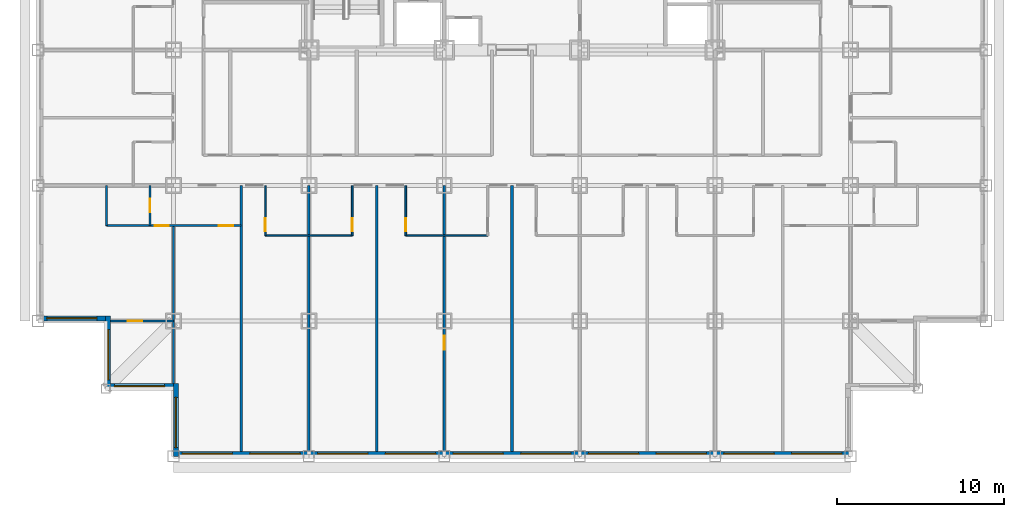
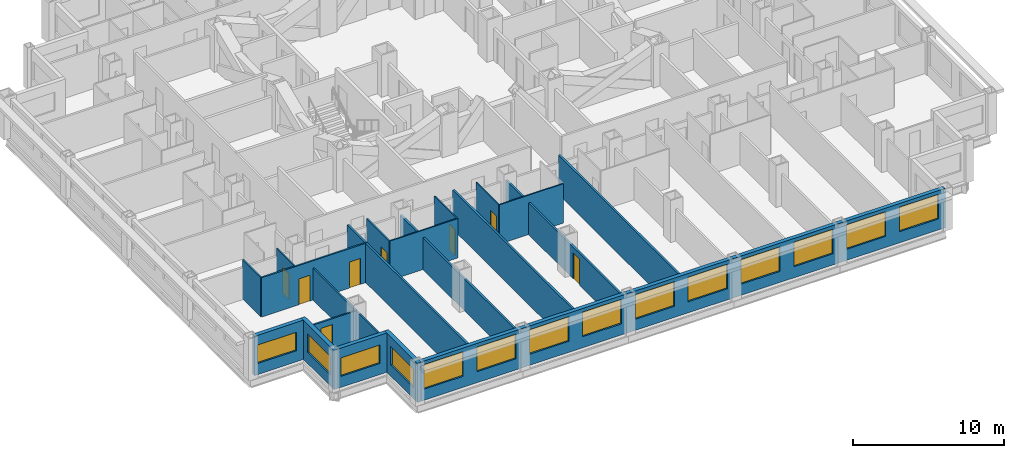
# One storey, part 3 of 13: 20 walls, 14 windows, 8 doors, 22 openings.
"""IFC4 building model written with IfcOpenShell, lengths in metres."""

from ifc_helpers import new_model, si_unit, direction, frame, frame_2d, origin, place, context, subcontext, project, spatial, rectangle, extrude, material, layer, layer_set, type_object, element, fill, save


model = new_model("IFC4")

# Units and contexts
model_context = context("Model", 3, precision=1e-05, world=origin(), true_north=direction((0.0, 1.0)))
body_context = subcontext(model_context, "Body", "Model", "MODEL_VIEW")
ifc_project = project(units=[si_unit("LENGTHUNIT", "METRE"), si_unit("AREAUNIT", "SQUARE_METRE"), si_unit("VOLUMEUNIT", "CUBIC_METRE"), si_unit("PLANEANGLEUNIT", "RADIAN"), si_unit("MASSUNIT", "GRAM", prefix="KILO")], contexts=[model_context])

# Site, building, storey
site_placement = place(None, origin())
site = spatial("IfcSite", under=ifc_project, at=site_placement, CompositionType="ELEMENT")
building_placement = place(site_placement, origin())
building = spatial("IfcBuilding", under=site, at=building_placement, Name="Kopane Lantern Tower", CompositionType="ELEMENT")
storey_placement = place(building_placement, frame((0.0, 0.0, 50.0)))
storey = spatial("IfcBuildingStorey", under=building, at=storey_placement, Name="L11", CompositionType="ELEMENT", Elevation=50.0)

# Wall, openings, doors
ifc_material_1 = material(Name="Gypsum board on steel studs", Category="steel")
ifc_layer_1 = layer(ifc_material_1, 0.1201171875)
ifc_layer_set_1 = layer_set([ifc_layer_1], Name="APARTMENT INTERNAL WALL 120")
wall_type_1 = type_object("IfcWallType", Name="APARTMENT INTERNAL WALL 120", PredefinedType="PARTITIONING", material=ifc_layer_set_1)
wall_1_placement = place(storey_placement, frame((4.10009765625, 13.800048828125, 0.0), z_axis=(0.0, 0.0, 1.0), x_axis=(1.0, 0.0, 0.0)))
wall_1 = element("IfcWall", 1, at=wall_1_placement, inside=storey, type_object=wall_type_1, Name="Apartment Internal Wall 120 L11", PredefinedType="PARTITIONING", context=body_context, shape_type="SweptSolid", body=[
    extrude(rectangle(XDim=8.0498046875, YDim=0.1201171875, at=frame_2d((4.02490234375, 0.0))), origin(), (0.0, 0.0, 1.0), 3.18994140625),
])
opening_1_placement = place(wall_1_placement, frame((6.72509765625, 0.0, 0.0)))
opening_1 = element("IfcOpeningElement", 2, at=opening_1_placement, cuts=wall_1, Name="Opening L11-074", PredefinedType="OPENING", context=body_context, shape_type="SweptSolid", body=[
    extrude(rectangle(XDim=0.85009765625, YDim=2.10009765625, at=frame_2d((0.425048828125, 1.050048828125))), frame((0.0, 0.070068359375, 0.0), z_axis=(0.0, -1.0, 0.0), x_axis=(1.0, 0.0, 0.0)), (0.0, 0.0, 1.0), 0.14013671875),
])
opening_2_placement = place(wall_1_placement, frame((2.875, 0.0, 0.0)))
opening_2 = element("IfcOpeningElement", 3, at=opening_2_placement, cuts=wall_1, Name="Opening L11-076", PredefinedType="OPENING", context=body_context, shape_type="SweptSolid", body=[
    extrude(rectangle(XDim=0.85009765625, YDim=2.10009765625, at=frame_2d((0.425048828125, 1.050048828125))), frame((0.0, 0.070068359375, 0.0), z_axis=(0.0, -1.0, 0.0), x_axis=(1.0, 0.0, 0.0)), (0.0, 0.0, 1.0), 0.14013671875),
])
ifc_material_2 = material(Name="Timber door set", Category="wood")
door_type_1 = type_object("IfcDoorType", Name="DOOR D4 850x2100", OperationType="SINGLE_SWING_LEFT", PredefinedType="DOOR", material=ifc_material_2)
door_1_placement = place(opening_1_placement, origin())
door_1 = element("IfcDoor", 4, at=door_1_placement, inside=storey, type_object=door_type_1, Name="Door L11-074", OperationType="SINGLE_SWING_RIGHT", OverallHeight=2.10009765625, OverallWidth=0.85009765625, PredefinedType="DOOR", context=body_context, shape_type="SweptSolid", body=[
    extrude(rectangle(XDim=0.85009765625, YDim=2.10009765625, at=frame_2d((0.425048828125, 1.050048828125))), frame((0.0, 0.02490234375, 0.0), z_axis=(0.0, -1.0, 0.0), x_axis=(1.0, 0.0, 0.0)), (0.0, 0.0, 1.0), 0.050048828125),
])
fill(opening_1, door_1)
door_2_placement = place(opening_2_placement, origin())
door_2 = element("IfcDoor", 5, at=door_2_placement, inside=storey, type_object=door_type_1, Name="Door L11-076", OperationType="SINGLE_SWING_LEFT", OverallHeight=2.10009765625, OverallWidth=0.85009765625, PredefinedType="DOOR", context=body_context, shape_type="SweptSolid", body=[
    extrude(rectangle(XDim=0.85009765625, YDim=2.10009765625, at=frame_2d((0.425048828125, 1.050048828125))), frame((0.0, 0.02490234375, 0.0), z_axis=(0.0, -1.0, 0.0), x_axis=(1.0, 0.0, 0.0)), (0.0, 0.0, 1.0), 0.050048828125),
])
fill(opening_2, door_2)

# Wall
wall_2_placement = place(storey_placement, frame((8.10009765625, 13.800048828125, 0.0), z_axis=(0.0, 0.0, 1.0), x_axis=(0.0, -1.0, 0.0)))
element("IfcWall", 6, at=wall_2_placement, inside=storey, type_object=wall_type_1, Name="Apartment Internal Wall 120 L11", PredefinedType="PARTITIONING", context=body_context, shape_type="SweptSolid", body=[
    extrude(rectangle(XDim=9.449951171875, YDim=0.1201171875, at=frame_2d((4.72509765625, 0.0))), origin(), (0.0, 0.0, 1.0), 2.577880859375),
])

# Wall, opening, door
wall_3_placement = place(storey_placement, frame((8.10009765625, 8.10009765625, 0.0), z_axis=(0.0, 0.0, 1.0), x_axis=(-1.0, 0.0, 0.0)))
wall_3 = element("IfcWall", 7, at=wall_3_placement, inside=storey, type_object=wall_type_1, Name="Apartment Internal Wall 120 L11", PredefinedType="PARTITIONING", context=body_context, shape_type="SweptSolid", body=[
    extrude(rectangle(XDim=3.75, YDim=0.1201171875, at=frame_2d((1.875, 0.0))), origin(), (0.0, 0.0, 1.0), 2.577880859375),
])
opening_3_placement = place(wall_3_placement, frame((1.875, 0.0, 0.0)))
opening_3 = element("IfcOpeningElement", 8, at=opening_3_placement, cuts=wall_3, Name="Opening L11-077", PredefinedType="OPENING", context=body_context, shape_type="SweptSolid", body=[
    extrude(rectangle(XDim=0.85009765625, YDim=2.10009765625, at=frame_2d((0.425048828125, 1.050048828125))), frame((0.0, 0.070068359375, 0.0), z_axis=(0.0, -1.0, 0.0), x_axis=(1.0, 0.0, 0.0)), (0.0, 0.0, 1.0), 0.14013671875),
])
door_3_placement = place(opening_3_placement, origin())
door_3 = element("IfcDoor", 9, at=door_3_placement, inside=storey, type_object=door_type_1, Name="Door L11-077", OperationType="SINGLE_SWING_LEFT", OverallHeight=2.10009765625, OverallWidth=0.85009765625, PredefinedType="DOOR", context=body_context, shape_type="SweptSolid", body=[
    extrude(rectangle(XDim=0.85009765625, YDim=2.10009765625, at=frame_2d((0.425048828125, 1.050048828125))), frame((0.0, 0.02490234375, 0.0), z_axis=(0.0, -1.0, 0.0), x_axis=(1.0, 0.0, 0.0)), (0.0, 0.0, 1.0), 0.050048828125),
])
fill(opening_3, door_3)

# Wall
ifc_material_3 = material(Name="Moisture-resistant board on steel studs", Category="steel")
ifc_layer_2 = layer(ifc_material_3, 0.10009765625)
ifc_layer_set_2 = layer_set([ifc_layer_2], Name="BATHROOM WALL 100")
wall_type_2 = type_object("IfcWallType", Name="BATHROOM WALL 100", PredefinedType="PARTITIONING", material=ifc_layer_set_2)
wall_4_placement = place(storey_placement, frame((13.60009765625, 13.199951171875, 0.0), z_axis=(0.0, 0.0, 1.0), x_axis=(1.0, 0.0, 0.0)))
element("IfcWall", 10, at=wall_4_placement, inside=storey, type_object=wall_type_2, Name="Bathroom Wall 100 L11", PredefinedType="PARTITIONING", context=body_context, shape_type="SweptSolid", body=[
    extrude(rectangle(XDim=5.199951171875, YDim=0.10009765625, at=frame_2d((2.60009765625, 0.0))), origin(), (0.0, 0.0, 1.0), 3.18994140625),
])

# Wall, opening, door
wall_5_placement = place(storey_placement, frame((13.60009765625, 16.199951171875, 0.0), z_axis=(0.0, 0.0, 1.0), x_axis=(0.0, -1.0, 0.0)))
wall_5 = element("IfcWall", 11, at=wall_5_placement, inside=storey, type_object=wall_type_2, Name="Bathroom Wall 100 L11", PredefinedType="PARTITIONING", context=body_context, shape_type="SweptSolid", body=[
    extrude(rectangle(XDim=3.0, YDim=0.10009765625, at=frame_2d((1.5, 0.0))), origin(), (0.0, 0.0, 1.0), 3.18994140625),
])
opening_4_placement = place(wall_5_placement, frame((1.949951171875, 0.0, 0.0)))
opening_4 = element("IfcOpeningElement", 12, at=opening_4_placement, cuts=wall_5, Name="Opening L11-016", PredefinedType="OPENING", context=body_context, shape_type="SweptSolid", body=[
    extrude(rectangle(XDim=0.800048828125, YDim=2.10009765625, at=frame_2d((0.39990234375, 1.050048828125))), frame((0.0, 0.06005859375, 0.0), z_axis=(0.0, -1.0, 0.0), x_axis=(1.0, 0.0, 0.0)), (0.0, 0.0, 1.0), 0.1201171875),
])
ifc_material_4 = material(Name="Timber door set", Category="wood")
door_type_2 = type_object("IfcDoorType", Name="DOOR D2 800x2100", OperationType="SINGLE_SWING_LEFT", PredefinedType="DOOR", material=ifc_material_4)
door_4_placement = place(opening_4_placement, origin())
door_4 = element("IfcDoor", 13, at=door_4_placement, inside=storey, type_object=door_type_2, Name="Door L11-016", OperationType="SINGLE_SWING_RIGHT", OverallHeight=2.10009765625, OverallWidth=0.800048828125, PredefinedType="DOOR", context=body_context, shape_type="SweptSolid", body=[
    extrude(rectangle(XDim=0.800048828125, YDim=2.10009765625, at=frame_2d((0.39990234375, 1.050048828125))), frame((0.0, 0.02490234375, 0.0), z_axis=(0.0, -1.0, 0.0), x_axis=(1.0, 0.0, 0.0)), (0.0, 0.0, 1.0), 0.050048828125),
])
fill(opening_4, door_4)

wall_6_placement = place(storey_placement, frame((18.800048828125, 16.199951171875, 0.0), z_axis=(0.0, 0.0, 1.0), x_axis=(0.0, -1.0, 0.0)))
wall_6 = element("IfcWall", 14, at=wall_6_placement, inside=storey, type_object=wall_type_2, Name="Bathroom Wall 100 L11", PredefinedType="PARTITIONING", context=body_context, shape_type="SweptSolid", body=[
    extrude(rectangle(XDim=3.0, YDim=0.10009765625, at=frame_2d((1.5, 0.0))), origin(), (0.0, 0.0, 1.0), 3.18994140625),
])
opening_5_placement = place(wall_6_placement, frame((1.949951171875, 0.0, 0.0)))
opening_5 = element("IfcOpeningElement", 15, at=opening_5_placement, cuts=wall_6, Name="Opening L11-018", PredefinedType="OPENING", context=body_context, shape_type="SweptSolid", body=[
    extrude(rectangle(XDim=0.800048828125, YDim=2.10009765625, at=frame_2d((0.39990234375, 1.050048828125))), frame((0.0, 0.06005859375, 0.0), z_axis=(0.0, -1.0, 0.0), x_axis=(1.0, 0.0, 0.0)), (0.0, 0.0, 1.0), 0.1201171875),
])
door_5_placement = place(opening_5_placement, origin())
door_5 = element("IfcDoor", 16, at=door_5_placement, inside=storey, type_object=door_type_2, Name="Door L11-018", OperationType="SINGLE_SWING_LEFT", OverallHeight=2.10009765625, OverallWidth=0.800048828125, PredefinedType="DOOR", context=body_context, shape_type="SweptSolid", body=[
    extrude(rectangle(XDim=0.800048828125, YDim=2.10009765625, at=frame_2d((0.39990234375, 1.050048828125))), frame((0.0, 0.02490234375, 0.0), z_axis=(0.0, -1.0, 0.0), x_axis=(1.0, 0.0, 0.0)), (0.0, 0.0, 1.0), 0.050048828125),
])
fill(opening_5, door_5)

# Wall
wall_7_placement = place(storey_placement, frame((22.0, 13.199951171875, 0.0), z_axis=(0.0, 0.0, 1.0), x_axis=(1.0, 0.0, 0.0)))
element("IfcWall", 17, at=wall_7_placement, inside=storey, type_object=wall_type_2, Name="Bathroom Wall 100 L11", PredefinedType="PARTITIONING", context=body_context, shape_type="SweptSolid", body=[
    extrude(rectangle(XDim=4.89990234375, YDim=0.10009765625, at=frame_2d((2.449951171875, 0.0))), origin(), (0.0, 0.0, 1.0), 3.18994140625),
])

# Wall, opening, door
wall_8_placement = place(storey_placement, frame((22.0, 16.199951171875, 0.0), z_axis=(0.0, 0.0, 1.0), x_axis=(0.0, -1.0, 0.0)))
wall_8 = element("IfcWall", 18, at=wall_8_placement, inside=storey, type_object=wall_type_2, Name="Bathroom Wall 100 L11", PredefinedType="PARTITIONING", context=body_context, shape_type="SweptSolid", body=[
    extrude(rectangle(XDim=3.0, YDim=0.10009765625, at=frame_2d((1.5, 0.0))), origin(), (0.0, 0.0, 1.0), 3.18994140625),
])
opening_6_placement = place(wall_8_placement, frame((1.949951171875, 0.0, 0.0)))
opening_6 = element("IfcOpeningElement", 19, at=opening_6_placement, cuts=wall_8, Name="Opening L11-020", PredefinedType="OPENING", context=body_context, shape_type="SweptSolid", body=[
    extrude(rectangle(XDim=0.800048828125, YDim=2.10009765625, at=frame_2d((0.39990234375, 1.050048828125))), frame((0.0, 0.06005859375, 0.0), z_axis=(0.0, -1.0, 0.0), x_axis=(1.0, 0.0, 0.0)), (0.0, 0.0, 1.0), 0.1201171875),
])
door_6_placement = place(opening_6_placement, origin())
door_6 = element("IfcDoor", 20, at=door_6_placement, inside=storey, type_object=door_type_2, Name="Door L11-020", OperationType="SINGLE_SWING_RIGHT", OverallHeight=2.10009765625, OverallWidth=0.800048828125, PredefinedType="DOOR", context=body_context, shape_type="SweptSolid", body=[
    extrude(rectangle(XDim=0.800048828125, YDim=2.10009765625, at=frame_2d((0.39990234375, 1.050048828125))), frame((0.0, 0.02490234375, 0.0), z_axis=(0.0, -1.0, 0.0), x_axis=(1.0, 0.0, 0.0)), (0.0, 0.0, 1.0), 0.050048828125),
])
fill(opening_6, door_6)

wall_9_placement = place(storey_placement, frame((6.699951171875, 16.199951171875, 0.0), z_axis=(0.0, 0.0, 1.0), x_axis=(0.0, -1.0, 0.0)))
wall_9 = element("IfcWall", 21, at=wall_9_placement, inside=storey, type_object=wall_type_2, Name="Bathroom Wall 100 L11", PredefinedType="PARTITIONING", context=body_context, shape_type="SweptSolid", body=[
    extrude(rectangle(XDim=2.39990234375, YDim=0.10009765625, at=frame_2d((1.199951171875, 0.0))), origin(), (0.0, 0.0, 1.0), 3.18994140625),
])
opening_7_placement = place(wall_9_placement, frame((0.800048828125, 0.0, 0.0)))
opening_7 = element("IfcOpeningElement", 22, at=opening_7_placement, cuts=wall_9, Name="Opening L11-075", PredefinedType="OPENING", context=body_context, shape_type="SweptSolid", body=[
    extrude(rectangle(XDim=0.800048828125, YDim=2.10009765625, at=frame_2d((0.39990234375, 1.050048828125))), frame((0.0, 0.06005859375, 0.0), z_axis=(0.0, -1.0, 0.0), x_axis=(1.0, 0.0, 0.0)), (0.0, 0.0, 1.0), 0.1201171875),
])
door_7_placement = place(opening_7_placement, origin())
door_7 = element("IfcDoor", 23, at=door_7_placement, inside=storey, type_object=door_type_2, Name="Door L11-075", OperationType="SINGLE_SWING_RIGHT", OverallHeight=2.10009765625, OverallWidth=0.800048828125, PredefinedType="DOOR", context=body_context, shape_type="SweptSolid", body=[
    extrude(rectangle(XDim=0.800048828125, YDim=2.10009765625, at=frame_2d((0.39990234375, 1.050048828125))), frame((0.0, 0.02490234375, 0.0), z_axis=(0.0, -1.0, 0.0), x_axis=(1.0, 0.0, 0.0)), (0.0, 0.0, 1.0), 0.050048828125),
])
fill(opening_7, door_7)

# Walls
wall_10_placement = place(storey_placement, frame((4.10009765625, 16.199951171875, 0.0), z_axis=(0.0, 0.0, 1.0), x_axis=(0.0, -1.0, 0.0)))
element("IfcWall", 24, at=wall_10_placement, inside=storey, type_object=wall_type_2, Name="Bathroom Wall 100 L11", PredefinedType="PARTITIONING", context=body_context, shape_type="SweptSolid", body=[
    extrude(rectangle(XDim=2.39990234375, YDim=0.10009765625, at=frame_2d((1.199951171875, 0.0))), origin(), (0.0, 0.0, 1.0), 3.18994140625),
])
ifc_material_5 = material(Name="Gypsum board on steel studs", Category="steel")
ifc_layer_3 = layer(ifc_material_5, 0.14990234375)
ifc_layer_set_3 = layer_set([ifc_layer_3], Name="DEMISING WALL 150 EI 60")
wall_type_3 = type_object("IfcWallType", Name="DEMISING WALL 150 EI 60", PredefinedType="PARTITIONING", material=ifc_layer_set_3)
wall_11_placement = place(storey_placement, frame((16.199951171875, 16.199951171875, 0.0), z_axis=(0.0, 0.0, 1.0), x_axis=(0.0, -1.0, 0.0)))
element("IfcWall", 25, at=wall_11_placement, inside=storey, type_object=wall_type_3, Name="Demising Wall 150 Ei 60 L11", PredefinedType="PARTITIONING", context=body_context, shape_type="SweptSolid", body=[
    extrude(rectangle(XDim=15.89990234375, YDim=0.14990234375, at=frame_2d((7.949951171875, 0.0))), origin(), (0.0, 0.0, 1.0), 2.577880859375),
])
wall_12_placement = place(storey_placement, frame((20.25, 16.199951171875, 0.0), z_axis=(0.0, 0.0, 1.0), x_axis=(0.0, -1.0, 0.0)))
element("IfcWall", 26, at=wall_12_placement, inside=storey, type_object=wall_type_3, Name="Demising Wall 150 Ei 60 L11", PredefinedType="PARTITIONING", context=body_context, shape_type="SweptSolid", body=[
    extrude(rectangle(XDim=15.89990234375, YDim=0.14990234375, at=frame_2d((7.949951171875, 0.0))), origin(), (0.0, 0.0, 1.0), 3.18994140625),
])

# Wall, opening, door
wall_13_placement = place(storey_placement, frame((24.300048828125, 16.199951171875, 0.0), z_axis=(0.0, 0.0, 1.0), x_axis=(0.0, -1.0, 0.0)))
wall_13 = element("IfcWall", 27, at=wall_13_placement, inside=storey, type_object=wall_type_3, Name="Demising Wall 150 Ei 60 L11", PredefinedType="PARTITIONING", context=body_context, shape_type="SweptSolid", body=[
    extrude(rectangle(XDim=15.89990234375, YDim=0.14990234375, at=frame_2d((7.949951171875, 0.0))), origin(), (0.0, 0.0, 1.0), 2.577880859375),
])
opening_8_placement = place(wall_13_placement, frame((8.97509765625, 0.0, 0.0)))
opening_8 = element("IfcOpeningElement", 28, at=opening_8_placement, cuts=wall_13, Name="Opening L11-024", PredefinedType="OPENING", context=body_context, shape_type="SweptSolid", body=[
    extrude(rectangle(XDim=0.85009765625, YDim=2.10009765625, at=frame_2d((0.425048828125, 1.050048828125))), frame((0.0, 0.0849609375, 0.0), z_axis=(0.0, -1.0, 0.0), x_axis=(1.0, 0.0, 0.0)), (0.0, 0.0, 1.0), 0.169921875),
])
ifc_material_6 = material(Name="Steel door set", Category="steel")
door_type_3 = type_object("IfcDoorType", Name="DOOR D11 850x2100 FD30S CONNECTING", OperationType="SINGLE_SWING_LEFT", PredefinedType="DOOR", material=ifc_material_6)
door_8_placement = place(opening_8_placement, origin())
door_8 = element("IfcDoor", 29, at=door_8_placement, inside=storey, type_object=door_type_3, Name="Door L11-024", OperationType="SINGLE_SWING_LEFT", OverallHeight=2.10009765625, OverallWidth=0.85009765625, PredefinedType="DOOR", context=body_context, shape_type="SweptSolid", body=[
    extrude(rectangle(XDim=0.85009765625, YDim=2.10009765625, at=frame_2d((0.425048828125, 1.050048828125))), frame((0.0, 0.02490234375, 0.0), z_axis=(0.0, -1.0, 0.0), x_axis=(1.0, 0.0, 0.0)), (0.0, 0.0, 1.0), 0.050048828125),
])
fill(opening_8, door_8)

# Walls
for number, where, z_axis, x_axis, name in (
    (30, (28.35009765625, 16.199951171875, 0.0), (0.0, 0.0, 1.0), (0.0, -1.0, 0.0), "Demising Wall 150 Ei 60 L11"),
    (31, (12.14990234375, 16.199951171875, 0.0), (0.0, 0.0, 1.0), (0.0, -1.0, 0.0), "Demising Wall 150 Ei 60 L11"),
):
    element("IfcWall", number, at=place(storey_placement, frame(where, z_axis=z_axis, x_axis=x_axis)), inside=storey, type_object=wall_type_3, Name=name, PredefinedType="PARTITIONING", context=body_context, shape_type="SweptSolid", body=[
        extrude(rectangle(XDim=15.89990234375, YDim=0.14990234375, at=frame_2d((7.949951171875, 0.0))), origin(), (0.0, 0.0, 1.0), 3.18994140625),
    ])

# Wall, openings, windows
ifc_material_7 = material(Name="Terracotta rainscreen on light steel framing", Category="masonry")
ifc_layer_4 = layer(ifc_material_7, 0.300048828125)
ifc_layer_set_4 = layer_set([ifc_layer_4], Name="EXTERNAL WALL EW1 300 TERRACOTTA")
wall_type_4 = type_object("IfcWallType", Name="EXTERNAL WALL EW1 300 TERRACOTTA", PredefinedType="SOLIDWALL", material=ifc_layer_set_4)
wall_14_placement = place(storey_placement, frame((8.39990234375, 0.14990234375, 0.0), z_axis=(0.0, 0.0, 1.0), x_axis=(1.0, 0.0, 0.0)))
wall_14 = element("IfcWall", 32, at=wall_14_placement, inside=storey, type_object=wall_type_4, Name="External wall S L11", PredefinedType="SOLIDWALL", context=body_context, shape_type="SweptSolid", body=[
    extrude(rectangle(XDim=40.2001953125, YDim=0.300048828125, at=frame_2d((20.10009765625, 0.0))), origin(), (0.0, 0.0, 1.0), 3.18994140625),
])
opening_9_placement = place(wall_14_placement, frame((0.22509765625, 0.0, 0.89990234375)))
opening_9 = element("IfcOpeningElement", 33, at=opening_9_placement, cuts=wall_14, Name="Opening WR300200", PredefinedType="OPENING", context=body_context, shape_type="SweptSolid", body=[
    extrude(rectangle(XDim=3.0, YDim=2.0, at=frame_2d((1.5, 1.0))), frame((0.0, 0.159912109375, 0.0), z_axis=(0.0, -1.0, 0.0), x_axis=(1.0, 0.0, 0.0)), (0.0, 0.0, 1.0), 0.320068359375),
])
opening_10_placement = place(wall_14_placement, frame((4.27490234375, 0.0, 0.89990234375)))
opening_10 = element("IfcOpeningElement", 34, at=opening_10_placement, cuts=wall_14, Name="Opening WR300200", PredefinedType="OPENING", context=body_context, shape_type="SweptSolid", body=[
    extrude(rectangle(XDim=3.0, YDim=2.0, at=frame_2d((1.5, 1.0))), frame((0.0, 0.159912109375, 0.0), z_axis=(0.0, -1.0, 0.0), x_axis=(1.0, 0.0, 0.0)), (0.0, 0.0, 1.0), 0.320068359375),
])
opening_11_placement = place(wall_14_placement, frame((8.324951171875, 0.0, 0.89990234375)))
opening_11 = element("IfcOpeningElement", 35, at=opening_11_placement, cuts=wall_14, Name="Opening WR300200", PredefinedType="OPENING", context=body_context, shape_type="SweptSolid", body=[
    extrude(rectangle(XDim=3.0, YDim=2.0, at=frame_2d((1.5, 1.0))), frame((0.0, 0.159912109375, 0.0), z_axis=(0.0, -1.0, 0.0), x_axis=(1.0, 0.0, 0.0)), (0.0, 0.0, 1.0), 0.320068359375),
])
opening_12_placement = place(wall_14_placement, frame((12.375, 0.0, 0.89990234375)))
opening_12 = element("IfcOpeningElement", 36, at=opening_12_placement, cuts=wall_14, Name="Opening WR300200", PredefinedType="OPENING", context=body_context, shape_type="SweptSolid", body=[
    extrude(rectangle(XDim=3.0, YDim=2.0, at=frame_2d((1.5, 1.0))), frame((0.0, 0.159912109375, 0.0), z_axis=(0.0, -1.0, 0.0), x_axis=(1.0, 0.0, 0.0)), (0.0, 0.0, 1.0), 0.320068359375),
])
opening_13_placement = place(wall_14_placement, frame((16.425048828125, 0.0, 0.89990234375)))
opening_13 = element("IfcOpeningElement", 37, at=opening_13_placement, cuts=wall_14, Name="Opening WR300200", PredefinedType="OPENING", context=body_context, shape_type="SweptSolid", body=[
    extrude(rectangle(XDim=3.0, YDim=2.0, at=frame_2d((1.5, 1.0))), frame((0.0, 0.159912109375, 0.0), z_axis=(0.0, -1.0, 0.0), x_axis=(1.0, 0.0, 0.0)), (0.0, 0.0, 1.0), 0.320068359375),
])
opening_14_placement = place(wall_14_placement, frame((20.47509765625, 0.0, 0.89990234375)))
opening_14 = element("IfcOpeningElement", 38, at=opening_14_placement, cuts=wall_14, Name="Opening WR300200", PredefinedType="OPENING", context=body_context, shape_type="SweptSolid", body=[
    extrude(rectangle(XDim=3.0, YDim=2.0, at=frame_2d((1.5, 1.0))), frame((0.0, 0.159912109375, 0.0), z_axis=(0.0, -1.0, 0.0), x_axis=(1.0, 0.0, 0.0)), (0.0, 0.0, 1.0), 0.320068359375),
])
opening_15_placement = place(wall_14_placement, frame((24.52490234375, 0.0, 0.89990234375)))
opening_15 = element("IfcOpeningElement", 39, at=opening_15_placement, cuts=wall_14, Name="Opening WR300200", PredefinedType="OPENING", context=body_context, shape_type="SweptSolid", body=[
    extrude(rectangle(XDim=3.0, YDim=2.0, at=frame_2d((1.5, 1.0))), frame((0.0, 0.159912109375, 0.0), z_axis=(0.0, -1.0, 0.0), x_axis=(1.0, 0.0, 0.0)), (0.0, 0.0, 1.0), 0.320068359375),
])
opening_16_placement = place(wall_14_placement, frame((28.574951171875, 0.0, 0.89990234375)))
opening_16 = element("IfcOpeningElement", 40, at=opening_16_placement, cuts=wall_14, Name="Opening WR300200", PredefinedType="OPENING", context=body_context, shape_type="SweptSolid", body=[
    extrude(rectangle(XDim=3.0, YDim=2.0, at=frame_2d((1.5, 1.0))), frame((0.0, 0.159912109375, 0.0), z_axis=(0.0, -1.0, 0.0), x_axis=(1.0, 0.0, 0.0)), (0.0, 0.0, 1.0), 0.320068359375),
])
opening_17_placement = place(wall_14_placement, frame((32.625, 0.0, 0.89990234375)))
opening_17 = element("IfcOpeningElement", 41, at=opening_17_placement, cuts=wall_14, Name="Opening WR300200", PredefinedType="OPENING", context=body_context, shape_type="SweptSolid", body=[
    extrude(rectangle(XDim=3.0, YDim=2.0, at=frame_2d((1.5, 1.0))), frame((0.0, 0.159912109375, 0.0), z_axis=(0.0, -1.0, 0.0), x_axis=(1.0, 0.0, 0.0)), (0.0, 0.0, 1.0), 0.320068359375),
])
opening_18_placement = place(wall_14_placement, frame((36.675048828125, 0.0, 0.89990234375)))
opening_18 = element("IfcOpeningElement", 42, at=opening_18_placement, cuts=wall_14, Name="Opening WR300200", PredefinedType="OPENING", context=body_context, shape_type="SweptSolid", body=[
    extrude(rectangle(XDim=3.0, YDim=2.0, at=frame_2d((1.5, 1.0))), frame((0.0, 0.159912109375, 0.0), z_axis=(0.0, -1.0, 0.0), x_axis=(1.0, 0.0, 0.0)), (0.0, 0.0, 1.0), 0.320068359375),
])
ifc_material_8 = material(Name="Aluminium and clear glass", Category="aluminium")
window_type_1 = type_object("IfcWindowType", Name="RIBBON WINDOW WR300200 3000x2000", PartitioningType="SINGLE_PANEL", PredefinedType="WINDOW", material=ifc_material_8)
window_1_placement = place(opening_9_placement, origin())
window_1 = element("IfcWindow", 43, at=window_1_placement, inside=storey, type_object=window_type_1, Name="Window S L11", OverallHeight=2.0, OverallWidth=3.0, PartitioningType="SINGLE_PANEL", PredefinedType="WINDOW", context=body_context, shape_type="SweptSolid", body=[
    extrude(rectangle(XDim=3.0, YDim=2.0, at=frame_2d((1.5, 1.0))), frame((0.0, 0.030029296875, 0.0), z_axis=(0.0, -1.0, 0.0), x_axis=(1.0, 0.0, 0.0)), (0.0, 0.0, 1.0), 0.06005859375),
])
fill(opening_9, window_1)
window_2_placement = place(opening_10_placement, origin())
window_2 = element("IfcWindow", 44, at=window_2_placement, inside=storey, type_object=window_type_1, Name="Window S L11", OverallHeight=2.0, OverallWidth=3.0, PartitioningType="SINGLE_PANEL", PredefinedType="WINDOW", context=body_context, shape_type="SweptSolid", body=[
    extrude(rectangle(XDim=3.0, YDim=2.0, at=frame_2d((1.5, 1.0))), frame((0.0, 0.030029296875, 0.0), z_axis=(0.0, -1.0, 0.0), x_axis=(1.0, 0.0, 0.0)), (0.0, 0.0, 1.0), 0.06005859375),
])
fill(opening_10, window_2)
window_3_placement = place(opening_11_placement, origin())
window_3 = element("IfcWindow", 45, at=window_3_placement, inside=storey, type_object=window_type_1, Name="Window S L11", OverallHeight=2.0, OverallWidth=3.0, PartitioningType="SINGLE_PANEL", PredefinedType="WINDOW", context=body_context, shape_type="SweptSolid", body=[
    extrude(rectangle(XDim=3.0, YDim=2.0, at=frame_2d((1.5, 1.0))), frame((0.0, 0.030029296875, 0.0), z_axis=(0.0, -1.0, 0.0), x_axis=(1.0, 0.0, 0.0)), (0.0, 0.0, 1.0), 0.06005859375),
])
fill(opening_11, window_3)
window_4_placement = place(opening_12_placement, origin())
window_4 = element("IfcWindow", 46, at=window_4_placement, inside=storey, type_object=window_type_1, Name="Window S L11", OverallHeight=2.0, OverallWidth=3.0, PartitioningType="SINGLE_PANEL", PredefinedType="WINDOW", context=body_context, shape_type="SweptSolid", body=[
    extrude(rectangle(XDim=3.0, YDim=2.0, at=frame_2d((1.5, 1.0))), frame((0.0, 0.030029296875, 0.0), z_axis=(0.0, -1.0, 0.0), x_axis=(1.0, 0.0, 0.0)), (0.0, 0.0, 1.0), 0.06005859375),
])
fill(opening_12, window_4)
window_5_placement = place(opening_13_placement, origin())
window_5 = element("IfcWindow", 47, at=window_5_placement, inside=storey, type_object=window_type_1, Name="Window S L11", OverallHeight=2.0, OverallWidth=3.0, PartitioningType="SINGLE_PANEL", PredefinedType="WINDOW", context=body_context, shape_type="SweptSolid", body=[
    extrude(rectangle(XDim=3.0, YDim=2.0, at=frame_2d((1.5, 1.0))), frame((0.0, 0.030029296875, 0.0), z_axis=(0.0, -1.0, 0.0), x_axis=(1.0, 0.0, 0.0)), (0.0, 0.0, 1.0), 0.06005859375),
])
fill(opening_13, window_5)
window_6_placement = place(opening_14_placement, origin())
window_6 = element("IfcWindow", 48, at=window_6_placement, inside=storey, type_object=window_type_1, Name="Window S L11", OverallHeight=2.0, OverallWidth=3.0, PartitioningType="SINGLE_PANEL", PredefinedType="WINDOW", context=body_context, shape_type="SweptSolid", body=[
    extrude(rectangle(XDim=3.0, YDim=2.0, at=frame_2d((1.5, 1.0))), frame((0.0, 0.030029296875, 0.0), z_axis=(0.0, -1.0, 0.0), x_axis=(1.0, 0.0, 0.0)), (0.0, 0.0, 1.0), 0.06005859375),
])
fill(opening_14, window_6)
window_7_placement = place(opening_15_placement, origin())
window_7 = element("IfcWindow", 49, at=window_7_placement, inside=storey, type_object=window_type_1, Name="Window S L11", OverallHeight=2.0, OverallWidth=3.0, PartitioningType="SINGLE_PANEL", PredefinedType="WINDOW", context=body_context, shape_type="SweptSolid", body=[
    extrude(rectangle(XDim=3.0, YDim=2.0, at=frame_2d((1.5, 1.0))), frame((0.0, 0.030029296875, 0.0), z_axis=(0.0, -1.0, 0.0), x_axis=(1.0, 0.0, 0.0)), (0.0, 0.0, 1.0), 0.06005859375),
])
fill(opening_15, window_7)
window_8_placement = place(opening_16_placement, origin())
window_8 = element("IfcWindow", 50, at=window_8_placement, inside=storey, type_object=window_type_1, Name="Window S L11", OverallHeight=2.0, OverallWidth=3.0, PartitioningType="SINGLE_PANEL", PredefinedType="WINDOW", context=body_context, shape_type="SweptSolid", body=[
    extrude(rectangle(XDim=3.0, YDim=2.0, at=frame_2d((1.5, 1.0))), frame((0.0, 0.030029296875, 0.0), z_axis=(0.0, -1.0, 0.0), x_axis=(1.0, 0.0, 0.0)), (0.0, 0.0, 1.0), 0.06005859375),
])
fill(opening_16, window_8)
window_9_placement = place(opening_17_placement, origin())
window_9 = element("IfcWindow", 51, at=window_9_placement, inside=storey, type_object=window_type_1, Name="Window S L11", OverallHeight=2.0, OverallWidth=3.0, PartitioningType="SINGLE_PANEL", PredefinedType="WINDOW", context=body_context, shape_type="SweptSolid", body=[
    extrude(rectangle(XDim=3.0, YDim=2.0, at=frame_2d((1.5, 1.0))), frame((0.0, 0.030029296875, 0.0), z_axis=(0.0, -1.0, 0.0), x_axis=(1.0, 0.0, 0.0)), (0.0, 0.0, 1.0), 0.06005859375),
])
fill(opening_17, window_9)
window_10_placement = place(opening_18_placement, origin())
window_10 = element("IfcWindow", 52, at=window_10_placement, inside=storey, type_object=window_type_1, Name="Window S L11", OverallHeight=2.0, OverallWidth=3.0, PartitioningType="SINGLE_PANEL", PredefinedType="WINDOW", context=body_context, shape_type="SweptSolid", body=[
    extrude(rectangle(XDim=3.0, YDim=2.0, at=frame_2d((1.5, 1.0))), frame((0.0, 0.030029296875, 0.0), z_axis=(0.0, -1.0, 0.0), x_axis=(1.0, 0.0, 0.0)), (0.0, 0.0, 1.0), 0.06005859375),
])
fill(opening_18, window_10)

# Wall, opening, window
wall_15_placement = place(storey_placement, frame((0.300048828125, 8.25, 0.0), z_axis=(0.0, 0.0, 1.0), x_axis=(1.0, 0.0, 0.0)))
wall_15 = element("IfcWall", 53, at=wall_15_placement, inside=storey, type_object=wall_type_4, Name="External wall S L11", PredefinedType="SOLIDWALL", context=body_context, shape_type="SweptSolid", body=[
    extrude(rectangle(XDim=3.75, YDim=0.300048828125, at=frame_2d((1.875, 0.0))), origin(), (0.0, 0.0, 1.0), 3.18994140625),
])
opening_19_placement = place(wall_15_placement, frame((0.22509765625, 0.0, 0.89990234375)))
opening_19 = element("IfcOpeningElement", 54, at=opening_19_placement, cuts=wall_15, Name="Opening WR300150", PredefinedType="OPENING", context=body_context, shape_type="SweptSolid", body=[
    extrude(rectangle(XDim=3.0, YDim=1.5, at=frame_2d((1.5, 0.75))), frame((0.0, 0.159912109375, 0.0), z_axis=(0.0, -1.0, 0.0), x_axis=(1.0, 0.0, 0.0)), (0.0, 0.0, 1.0), 0.320068359375),
])
ifc_material_9 = material(Name="Aluminium and clear glass", Category="aluminium")
window_type_2 = type_object("IfcWindowType", Name="RIBBON WINDOW WR300150 3000x1500", PartitioningType="SINGLE_PANEL", PredefinedType="WINDOW", material=ifc_material_9)
window_11_placement = place(opening_19_placement, origin())
window_11 = element("IfcWindow", 55, at=window_11_placement, inside=storey, type_object=window_type_2, Name="Window S L11", OverallHeight=1.5, OverallWidth=3.0, PartitioningType="SINGLE_PANEL", PredefinedType="WINDOW", context=body_context, shape_type="SweptSolid", body=[
    extrude(rectangle(XDim=3.0, YDim=1.5, at=frame_2d((1.5, 0.75))), frame((0.0, 0.030029296875, 0.0), z_axis=(0.0, -1.0, 0.0), x_axis=(1.0, 0.0, 0.0)), (0.0, 0.0, 1.0), 0.06005859375),
])
fill(opening_19, window_11)

wall_16_placement = place(storey_placement, frame((4.199951171875, 8.39990234375, 0.0), z_axis=(0.0, 0.0, 1.0), x_axis=(0.0, -1.0, 0.0)))
wall_16 = element("IfcWall", 56, at=wall_16_placement, inside=storey, type_object=wall_type_4, Name="External wall W L11", PredefinedType="SOLIDWALL", context=body_context, shape_type="SweptSolid", body=[
    extrude(rectangle(XDim=4.349853515625, YDim=0.300048828125, at=frame_2d((2.1748046875, 0.0))), origin(), (0.0, 0.0, 1.0), 3.18994140625),
])
opening_20_placement = place(wall_16_placement, frame((0.824951171875, 0.0, 0.89990234375)))
opening_20 = element("IfcOpeningElement", 57, at=opening_20_placement, cuts=wall_16, Name="Opening WR300150", PredefinedType="OPENING", context=body_context, shape_type="SweptSolid", body=[
    extrude(rectangle(XDim=3.0, YDim=1.5, at=frame_2d((1.5, 0.75))), frame((0.0, 0.159912109375, 0.0), z_axis=(0.0, -1.0, 0.0), x_axis=(1.0, 0.0, 0.0)), (0.0, 0.0, 1.0), 0.320068359375),
])
window_12_placement = place(opening_20_placement, origin())
window_12 = element("IfcWindow", 58, at=window_12_placement, inside=storey, type_object=window_type_2, Name="Window W L11", OverallHeight=1.5, OverallWidth=3.0, PartitioningType="SINGLE_PANEL", PredefinedType="WINDOW", context=body_context, shape_type="SweptSolid", body=[
    extrude(rectangle(XDim=3.0, YDim=1.5, at=frame_2d((1.5, 0.75))), frame((0.0, 0.030029296875, 0.0), z_axis=(0.0, -1.0, 0.0), x_axis=(1.0, 0.0, 0.0)), (0.0, 0.0, 1.0), 0.06005859375),
])
fill(opening_20, window_12)

wall_17_placement = place(storey_placement, frame((4.35009765625, 4.199951171875, 0.0), z_axis=(0.0, 0.0, 1.0), x_axis=(1.0, 0.0, 0.0)))
wall_17 = element("IfcWall", 59, at=wall_17_placement, inside=storey, type_object=wall_type_4, Name="External wall S L11", PredefinedType="SOLIDWALL", context=body_context, shape_type="SweptSolid", body=[
    extrude(rectangle(XDim=3.75, YDim=0.300048828125, at=frame_2d((1.875, 0.0))), origin(), (0.0, 0.0, 1.0), 3.18994140625),
])
opening_21_placement = place(wall_17_placement, frame((0.22509765625, 0.0, 0.89990234375)))
opening_21 = element("IfcOpeningElement", 60, at=opening_21_placement, cuts=wall_17, Name="Opening WR300150", PredefinedType="OPENING", context=body_context, shape_type="SweptSolid", body=[
    extrude(rectangle(XDim=3.0, YDim=1.5, at=frame_2d((1.5, 0.75))), frame((0.0, 0.159912109375, 0.0), z_axis=(0.0, -1.0, 0.0), x_axis=(1.0, 0.0, 0.0)), (0.0, 0.0, 1.0), 0.320068359375),
])
window_13_placement = place(opening_21_placement, origin())
window_13 = element("IfcWindow", 61, at=window_13_placement, inside=storey, type_object=window_type_2, Name="Window S L11", OverallHeight=1.5, OverallWidth=3.0, PartitioningType="SINGLE_PANEL", PredefinedType="WINDOW", context=body_context, shape_type="SweptSolid", body=[
    extrude(rectangle(XDim=3.0, YDim=1.5, at=frame_2d((1.5, 0.75))), frame((0.0, 0.030029296875, 0.0), z_axis=(0.0, -1.0, 0.0), x_axis=(1.0, 0.0, 0.0)), (0.0, 0.0, 1.0), 0.06005859375),
])
fill(opening_21, window_13)

wall_18_placement = place(storey_placement, frame((8.25, 4.35009765625, 0.0), z_axis=(0.0, 0.0, 1.0), x_axis=(0.0, -1.0, 0.0)))
wall_18 = element("IfcWall", 62, at=wall_18_placement, inside=storey, type_object=wall_type_4, Name="External wall W L11", PredefinedType="SOLIDWALL", context=body_context, shape_type="SweptSolid", body=[
    extrude(rectangle(XDim=4.35009765625, YDim=0.300048828125, at=frame_2d((2.175048828125, 0.0))), origin(), (0.0, 0.0, 1.0), 3.18994140625),
])
opening_22_placement = place(wall_18_placement, frame((0.824951171875, 0.0, 0.89990234375)))
opening_22 = element("IfcOpeningElement", 63, at=opening_22_placement, cuts=wall_18, Name="Opening WR300150", PredefinedType="OPENING", context=body_context, shape_type="SweptSolid", body=[
    extrude(rectangle(XDim=3.0, YDim=1.5, at=frame_2d((1.5, 0.75))), frame((0.0, 0.159912109375, 0.0), z_axis=(0.0, -1.0, 0.0), x_axis=(1.0, 0.0, 0.0)), (0.0, 0.0, 1.0), 0.320068359375),
])
window_14_placement = place(opening_22_placement, origin())
window_14 = element("IfcWindow", 64, at=window_14_placement, inside=storey, type_object=window_type_2, Name="Window W L11", OverallHeight=1.5, OverallWidth=3.0, PartitioningType="SINGLE_PANEL", PredefinedType="WINDOW", context=body_context, shape_type="SweptSolid", body=[
    extrude(rectangle(XDim=3.0, YDim=1.5, at=frame_2d((1.5, 0.75))), frame((0.0, 0.030029296875, 0.0), z_axis=(0.0, -1.0, 0.0), x_axis=(1.0, 0.0, 0.0)), (0.0, 0.0, 1.0), 0.06005859375),
])
fill(opening_22, window_14)

save(model, "model.ifc")
